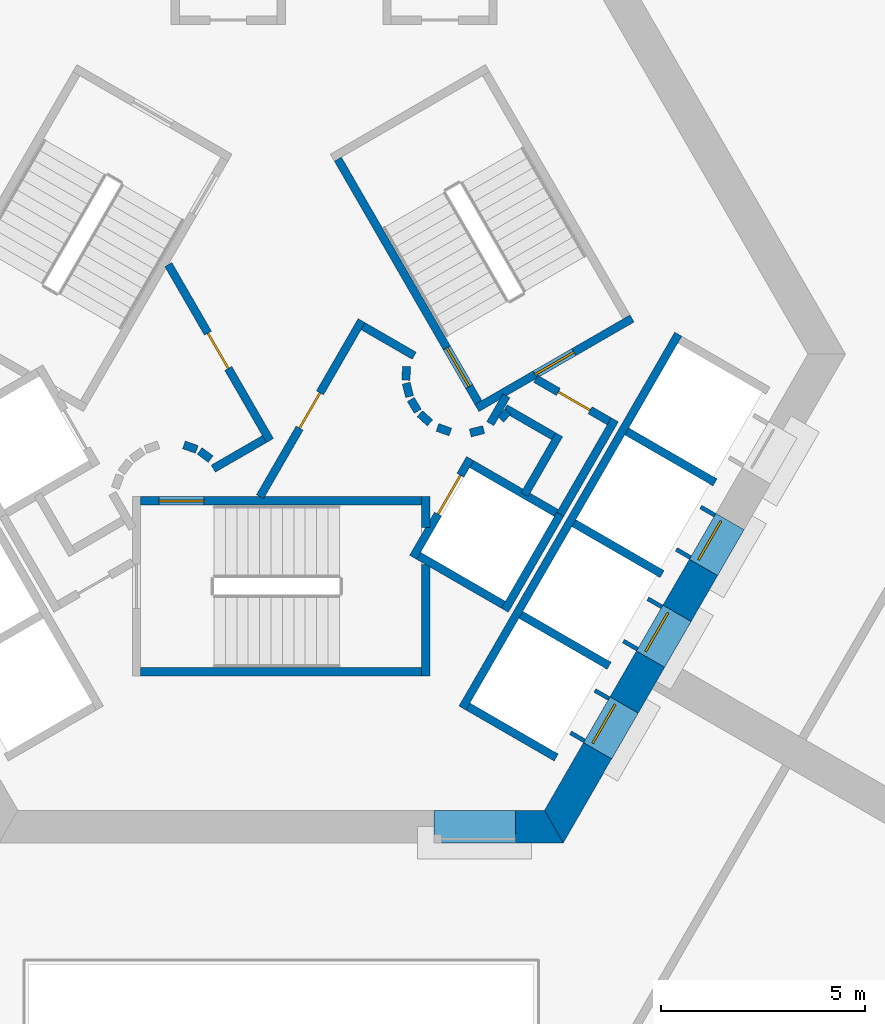
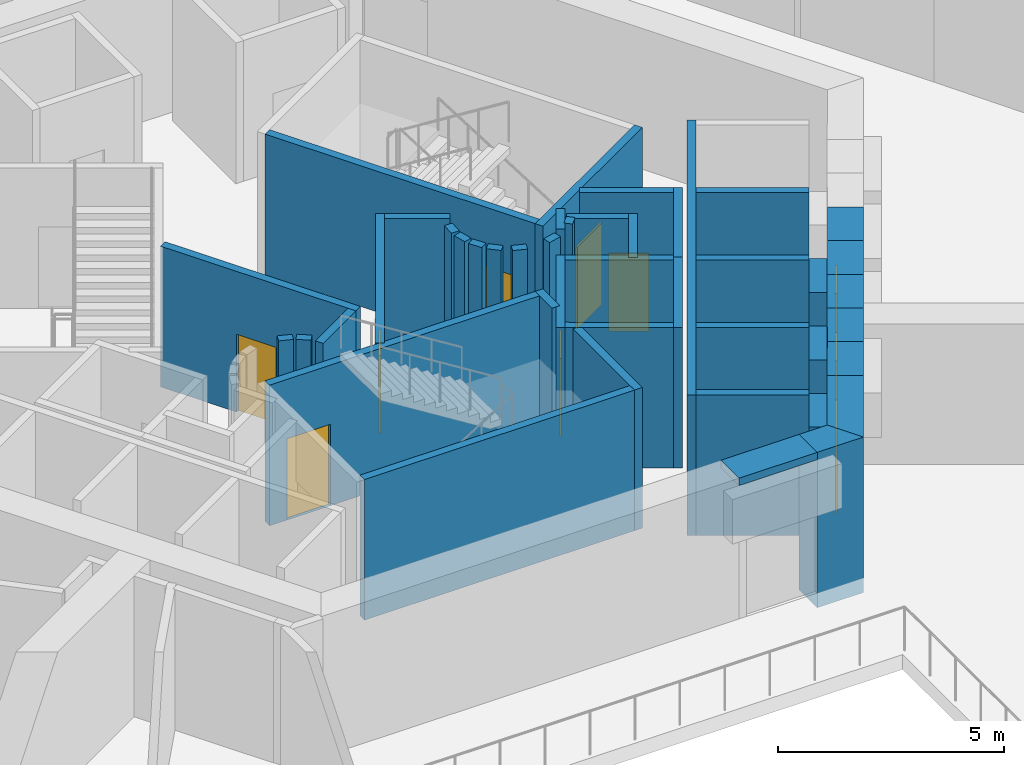
# One storey, part 7 of 15: 44 walls, 10 doors, 10 openings.
"""IFC4 building model written with IfcOpenShell, lengths in metres."""

from ifc_helpers import new_model, si_unit, direction, frame, frame_2d, origin, place, context, subcontext, project, spatial, polyline, rectangle, outline, extrude, material, layer, layer_set, type_object, element, fill, save


model = new_model("IFC4")

# Units and contexts
model_context = context("Model", 3, precision=1e-05, world=origin(), true_north=direction((0.0, 1.0)))
body_context = subcontext(model_context, "Body", "Model", "MODEL_VIEW")
ifc_project = project(units=[si_unit("LENGTHUNIT", "METRE"), si_unit("AREAUNIT", "SQUARE_METRE"), si_unit("VOLUMEUNIT", "CUBIC_METRE"), si_unit("PLANEANGLEUNIT", "RADIAN"), si_unit("MASSUNIT", "GRAM", prefix="KILO")], contexts=[model_context])

# Site, building, storey
site_placement = place(None, origin())
site = spatial("IfcSite", under=ifc_project, at=site_placement, CompositionType="ELEMENT")
building_placement = place(site_placement, origin())
building = spatial("IfcBuilding", under=site, at=building_placement, Name="Entoto Arch Interchange Tower", CompositionType="ELEMENT")
storey_placement = place(building_placement, frame((0.0, 0.0, 171.800048828125)))
storey = spatial("IfcBuildingStorey", under=building, at=storey_placement, Name="L38", CompositionType="ELEMENT", Elevation=171.800048828125)

# Walls
ifc_material_1 = material(Name="Concrete C50/60", Category="concrete")
ifc_layer_1 = layer(ifc_material_1, 0.800048828125)
ifc_layer_set_1 = layer_set([ifc_layer_1], Name="Concrete C50/60")
wall_type_1 = type_object("IfcWallType", Name="Core wall 800 C50/60", PredefinedType="SHEAR", material=ifc_layer_set_1)
wall_1_placement = place(storey_placement, frame((0.0, 0.0, -0.400146484375)))
element("IfcWall", 1, at=wall_1_placement, inside=storey, type_object=wall_type_1, Name="Core wall S L38", PredefinedType="SHEAR", context=body_context, shape_type="SweptSolid", body=[
    extrude(outline(polyline([(5.75, -8.699951171875), (5.75, -9.5), (6.927978515625, -9.5), (6.466064453125, -8.699951171875), (5.75, -8.699951171875)])), origin(), (0.0, 0.0, 1.0), 4.2001953125),
])
wall_2_placement = place(storey_placement, frame((0.0, 0.0, 3.599853515625)))
element("IfcWall", 2, at=wall_2_placement, inside=storey, type_object=wall_type_1, Name="Core wall lintel S L38", PredefinedType="SHEAR", context=body_context, shape_type="SweptSolid", body=[
    extrude(outline(polyline([(5.75, -9.5), (5.75, -8.699951171875), (3.75, -8.699951171875), (3.75, -9.5), (5.75, -9.5)])), origin(), (0.0, 0.0, 1.0), 0.2001953125),
])
wall_3_placement = place(storey_placement, frame((0.0, 0.0, -0.400146484375)))
element("IfcWall", 3, at=wall_3_placement, inside=storey, type_object=wall_type_1, Name="Core wall SE L38", PredefinedType="SHEAR", context=body_context, shape_type="SweptSolid", body=[
    extrude(outline(polyline([(8.116943359375, -7.43994140625), (7.424072265625, -7.0400390625), (6.466064453125, -8.699951171875), (6.927978515625, -9.5), (8.116943359375, -7.43994140625)])), origin(), (0.0, 0.0, 1.0), 4.2001953125),
])
wall_4_placement = place(storey_placement, frame((0.0, 0.0, -0.400146484375)))
element("IfcWall", 4, at=wall_4_placement, inside=storey, type_object=wall_type_1, Name="Core wall SE L38", PredefinedType="SHEAR", context=body_context, shape_type="SweptSolid", body=[
    extrude(outline(polyline([(9.4169921875, -5.18896484375), (8.72412109375, -4.7890625), (8.074951171875, -5.9140625), (8.76708984375, -6.31396484375), (9.4169921875, -5.18896484375)])), origin(), (0.0, 0.0, 1.0), 4.2001953125),
])
wall_5_placement = place(storey_placement, frame((0.0, 0.0, -0.400146484375)))
element("IfcWall", 5, at=wall_5_placement, inside=storey, type_object=wall_type_1, Name="Core wall SE L38", PredefinedType="SHEAR", context=body_context, shape_type="SweptSolid", body=[
    extrude(outline(polyline([(10.717041015625, -2.93701171875), (10.02490234375, -2.537109375), (9.3740234375, -3.6630859375), (10.06689453125, -4.06298828125), (10.717041015625, -2.93701171875)])), origin(), (0.0, 0.0, 1.0), 4.2001953125),
])
wall_6_placement = place(storey_placement, frame((0.0, 0.0, 3.599853515625)))
element("IfcWall", 6, at=wall_6_placement, inside=storey, type_object=wall_type_1, Name="Core wall lintel SE L38", PredefinedType="SHEAR", context=body_context, shape_type="SweptSolid", body=[
    extrude(outline(polyline([(8.76708984375, -6.31396484375), (8.074951171875, -5.9140625), (7.424072265625, -7.0400390625), (8.116943359375, -7.43994140625), (8.76708984375, -6.31396484375)])), origin(), (0.0, 0.0, 1.0), 0.2001953125),
])
wall_7_placement = place(storey_placement, frame((0.0, 0.0, 3.599853515625)))
element("IfcWall", 7, at=wall_7_placement, inside=storey, type_object=wall_type_1, Name="Core wall lintel SE L38", PredefinedType="SHEAR", context=body_context, shape_type="SweptSolid", body=[
    extrude(outline(polyline([(10.06689453125, -4.06298828125), (9.3740234375, -3.6630859375), (8.72412109375, -4.7890625), (9.4169921875, -5.18896484375), (10.06689453125, -4.06298828125)])), origin(), (0.0, 0.0, 1.0), 0.2001953125),
])
wall_8_placement = place(storey_placement, frame((0.0, 0.0, 3.599853515625)))
element("IfcWall", 8, at=wall_8_placement, inside=storey, type_object=wall_type_1, Name="Core wall lintel SE L38", PredefinedType="SHEAR", context=body_context, shape_type="SweptSolid", body=[
    extrude(outline(polyline([(11.366943359375, -1.81103515625), (10.675048828125, -1.410888671875), (10.02490234375, -2.537109375), (10.717041015625, -2.93701171875), (11.366943359375, -1.81103515625)])), origin(), (0.0, 0.0, 1.0), 0.2001953125),
])

# Wall, opening, door
ifc_material_2 = material(Name="Concrete C40/50", Category="concrete")
ifc_layer_2 = layer(ifc_material_2, 1.199951171875)
ifc_layer_set_2 = layer_set([ifc_layer_2], Name="Concrete C40/50")
wall_type_2 = type_object("IfcWallType", Name="LIFT LANDING INFILL WALL", PredefinedType="STANDARD", material=ifc_layer_set_2)
wall_9_placement = place(storey_placement, frame((7.597900390625, -7.139892578125, 0.0), z_axis=(0.0, 0.0, 1.0), x_axis=(0.500362116554, 0.865816234728, 0.0)))
wall_9 = element("IfcWall", 9, at=wall_9_placement, inside=storey, type_object=wall_type_2, Name="Lift landing infill wall LR5 L38", PredefinedType="STANDARD", context=body_context, shape_type="SweptSolid", body=[
    extrude(rectangle(XDim=1.29931640625, YDim=1.199951171875, at=frame_2d((0.649658203125, 0.0))), origin(), (0.0, 0.0, 1.0), 2.39990234375),
])
opening_1_placement = place(wall_9_placement, frame((0.10009765625, 0.0, 0.0)))
opening_1 = element("IfcOpeningElement", 10, at=opening_1_placement, cuts=wall_9, Name="Opening LD-LR5-L38", PredefinedType="OPENING", context=body_context, shape_type="SweptSolid", body=[
    extrude(rectangle(XDim=1.10009765625, YDim=2.300048828125, at=frame_2d((0.550048828125, 1.14990234375))), frame((0.0, 0.60986328125, 0.0), z_axis=(0.0, -1.0, 0.0), x_axis=(1.0, 0.0, 0.0)), (0.0, 0.0, 1.0), 1.219970703125),
])
ifc_material_3 = material(Name="Stainless steel 1.4301 panels", Category="steel")
door_type_1 = type_object("IfcDoorType", Name="LIFT LANDING DOOR LD2 1100x2300", OperationType="SLIDING_TO_LEFT", PredefinedType="DOOR", material=ifc_material_3)
door_1_placement = place(opening_1_placement, origin())
door_1 = element("IfcDoor", 11, at=door_1_placement, inside=storey, type_object=door_type_1, Name="Lift landing door LR5 L38", OperationType="SLIDING_TO_LEFT", OverallHeight=2.300048828125, OverallWidth=1.10009765625, PredefinedType="DOOR", context=body_context, shape_type="SweptSolid", body=[
    extrude(rectangle(XDim=1.10009765625, YDim=2.300048828125, at=frame_2d((0.550048828125, 1.14990234375))), frame((0.0, 0.02490234375, 0.0), z_axis=(0.0, -1.0, 0.0), x_axis=(1.0, 0.0, 0.0)), (0.0, 0.0, 1.0), 0.050048828125),
])
fill(opening_1, door_1)

wall_10_placement = place(storey_placement, frame((8.89794921875, -4.888916015625, 0.0), z_axis=(0.0, 0.0, 1.0), x_axis=(0.500036693733, 0.866004217611, 0.0)))
wall_10 = element("IfcWall", 12, at=wall_10_placement, inside=storey, type_object=wall_type_2, Name="Lift landing infill wall LR6 L38", PredefinedType="STANDARD", context=body_context, shape_type="SweptSolid", body=[
    extrude(rectangle(XDim=1.30029296875, YDim=1.199951171875, at=frame_2d((0.650146484375, 0.0))), origin(), (0.0, 0.0, 1.0), 2.39990234375),
])
opening_2_placement = place(wall_10_placement, frame((0.10009765625, 0.0, 0.0)))
opening_2 = element("IfcOpeningElement", 13, at=opening_2_placement, cuts=wall_10, Name="Opening LD-LR6-L38", PredefinedType="OPENING", context=body_context, shape_type="SweptSolid", body=[
    extrude(rectangle(XDim=1.10009765625, YDim=2.300048828125, at=frame_2d((0.550048828125, 1.14990234375))), frame((0.0, 0.60986328125, 0.0), z_axis=(0.0, -1.0, 0.0), x_axis=(1.0, 0.0, 0.0)), (0.0, 0.0, 1.0), 1.219970703125),
])
door_2_placement = place(opening_2_placement, origin())
door_2 = element("IfcDoor", 14, at=door_2_placement, inside=storey, type_object=door_type_1, Name="Lift landing door LR6 L38", OperationType="SLIDING_TO_LEFT", OverallHeight=2.300048828125, OverallWidth=1.10009765625, PredefinedType="DOOR", context=body_context, shape_type="SweptSolid", body=[
    extrude(rectangle(XDim=1.10009765625, YDim=2.300048828125, at=frame_2d((0.550048828125, 1.14990234375))), frame((0.0, 0.02490234375, 0.0), z_axis=(0.0, -1.0, 0.0), x_axis=(1.0, 0.0, 0.0)), (0.0, 0.0, 1.0), 0.050048828125),
])
fill(opening_2, door_2)

wall_11_placement = place(storey_placement, frame((10.197998046875, -2.636962890625, 0.0), z_axis=(0.0, 0.0, 1.0), x_axis=(0.49989585183, 0.866085525409, 0.0)))
wall_11 = element("IfcWall", 15, at=wall_11_placement, inside=storey, type_object=wall_type_2, Name="Lift landing infill wall LR7 L38", PredefinedType="STANDARD", context=body_context, shape_type="SweptSolid", body=[
    extrude(rectangle(XDim=1.300048828125, YDim=1.199951171875, at=frame_2d((0.64990234375, 0.0))), origin(), (0.0, 0.0, 1.0), 2.39990234375),
])
opening_3_placement = place(wall_11_placement, frame((0.10009765625, 0.0, 0.0)))
opening_3 = element("IfcOpeningElement", 16, at=opening_3_placement, cuts=wall_11, Name="Opening LD-LR7-L38", PredefinedType="OPENING", context=body_context, shape_type="SweptSolid", body=[
    extrude(rectangle(XDim=1.10009765625, YDim=2.300048828125, at=frame_2d((0.550048828125, 1.14990234375))), frame((0.0, 0.60986328125, 0.0), z_axis=(0.0, -1.0, 0.0), x_axis=(1.0, 0.0, 0.0)), (0.0, 0.0, 1.0), 1.219970703125),
])
door_3_placement = place(opening_3_placement, origin())
door_3 = element("IfcDoor", 17, at=door_3_placement, inside=storey, type_object=door_type_1, Name="Lift landing door LR7 L38", OperationType="SLIDING_TO_LEFT", OverallHeight=2.300048828125, OverallWidth=1.10009765625, PredefinedType="DOOR", context=body_context, shape_type="SweptSolid", body=[
    extrude(rectangle(XDim=1.10009765625, YDim=2.300048828125, at=frame_2d((0.550048828125, 1.14990234375))), frame((0.0, 0.02490234375, 0.0), z_axis=(0.0, -1.0, 0.0), x_axis=(1.0, 0.0, 0.0)), (0.0, 0.0, 1.0), 0.050048828125),
])
fill(opening_3, door_3)

ifc_layer_3 = layer(ifc_material_2, 0.199951171875)
ifc_layer_set_3 = layer_set([ifc_layer_3], Name="Concrete C40/50")
wall_type_3 = type_object("IfcWallType", Name="LIFT SHAFT WALL 200", PredefinedType="STANDARD", material=ifc_layer_set_3)
wall_12_placement = place(storey_placement, frame((3.239990234375, -2.488037109375, 0.0), z_axis=(0.0, 0.0, 1.0), x_axis=(0.49994636267, 0.866056369097, 0.0)))
wall_12 = element("IfcWall", 18, at=wall_12_placement, inside=storey, type_object=wall_type_3, Name="Shaft wall SE1 front", PredefinedType="STANDARD", context=body_context, shape_type="SweptSolid", body=[
    extrude(rectangle(XDim=2.800048828125, YDim=0.199951171875, at=frame_2d((1.39990234375, 0.0))), origin(), (0.0, 0.0, 1.0), 3.800048828125),
])
opening_4_placement = place(wall_12_placement, frame((1.22509765625, 0.0, 0.0)))
opening_4 = element("IfcOpeningElement", 19, at=opening_4_placement, cuts=wall_12, Name="Opening LD-FF1-L38", PredefinedType="OPENING", context=body_context, shape_type="SweptSolid", body=[
    extrude(rectangle(XDim=1.10009765625, YDim=2.10009765625, at=frame_2d((0.550048828125, 1.050048828125))), frame((0.0, 0.10986328125, 0.0), z_axis=(0.0, -1.0, 0.0), x_axis=(1.0, 0.0, 0.0)), (0.0, 0.0, 1.0), 0.219970703125),
])
door_type_2 = type_object("IfcDoorType", Name="LIFT LANDING DOOR LD1 1100x2100", OperationType="SLIDING_TO_LEFT", PredefinedType="DOOR", material=ifc_material_3)
door_4_placement = place(opening_4_placement, origin())
door_4 = element("IfcDoor", 20, at=door_4_placement, inside=storey, type_object=door_type_2, Name="Lift landing door FF1 L38", OperationType="SLIDING_TO_LEFT", OverallHeight=2.10009765625, OverallWidth=1.10009765625, PredefinedType="DOOR", context=body_context, shape_type="SweptSolid", body=[
    extrude(rectangle(XDim=1.10009765625, YDim=2.10009765625, at=frame_2d((0.550048828125, 1.050048828125))), frame((0.0, 0.02490234375, 0.0), z_axis=(0.0, -1.0, 0.0), x_axis=(1.0, 0.0, 0.0)), (0.0, 0.0, 1.0), 0.050048828125),
])
fill(opening_4, door_4)

# Walls
wall_13_placement = place(storey_placement, frame((5.491943359375, -3.7880859375, 0.0), z_axis=(0.0, 0.0, 1.0), x_axis=(0.500011755427, 0.866018616679, 0.0)))
element("IfcWall", 21, at=wall_13_placement, inside=storey, type_object=wall_type_3, Name="Shaft wall SE1 back", PredefinedType="STANDARD", context=body_context, shape_type="SweptSolid", body=[
    extrude(rectangle(XDim=2.80029296875, YDim=0.199951171875, at=frame_2d((1.400146484375, 0.0))), origin(), (0.0, 0.0, 1.0), 3.800048828125),
])
wall_14_placement = place(storey_placement, frame((3.376953125, -2.451904296875, 0.0), z_axis=(0.0, 0.0, 1.0), x_axis=(0.865955154139, -0.50012165622, 0.0)))
element("IfcWall", 22, at=wall_14_placement, inside=storey, type_object=wall_type_3, Name="Shaft wall SE1 cross 1", PredefinedType="STANDARD", context=body_context, shape_type="SweptSolid", body=[
    extrude(rectangle(XDim=2.39990234375, YDim=0.199951171875, at=frame_2d((1.199951171875, 0.0))), origin(), (0.0, 0.0, 1.0), 3.800048828125),
])
wall_15_placement = place(storey_placement, frame((4.677001953125, -0.199951171875, 0.0), z_axis=(0.0, 0.0, 1.0), x_axis=(0.865973769406, -0.500089422704, 0.0)))
element("IfcWall", 23, at=wall_15_placement, inside=storey, type_object=wall_type_3, Name="Shaft wall SE1 cross 2", PredefinedType="STANDARD", context=body_context, shape_type="SweptSolid", body=[
    extrude(rectangle(XDim=2.3994140625, YDim=0.199951171875, at=frame_2d((1.19970703125, 0.0))), origin(), (0.0, 0.0, 1.0), 3.800048828125),
])
wall_16_placement = place(storey_placement, frame((4.450927734375, -6.18994140625, 0.0), z_axis=(0.0, 0.0, 1.0), x_axis=(0.50000090737, 0.866024879913, 0.0)))
element("IfcWall", 24, at=wall_16_placement, inside=storey, type_object=wall_type_3, Name="Shaft wall SE3 front", PredefinedType="STANDARD", context=body_context, shape_type="SweptSolid", body=[
    extrude(rectangle(XDim=10.60009765625, YDim=0.199951171875, at=frame_2d((5.300048828125, 0.0))), origin(), (0.0, 0.0, 1.0), 3.800048828125),
])
for number, where, z_axis, x_axis, name in (
    (25, (4.587890625, -6.153076171875, 0.0), (0.0, 0.0, 1.0), (0.866022959057, -0.500004234368, 0.0), "Shaft wall SE3 cross 1"),
    (26, (5.887939453125, -3.902099609375, 0.0), (0.0, 0.0, 1.0), (0.866022959057, -0.500004234368, 0.0), "Shaft wall SE3 cross 2"),
    (27, (7.18798828125, -1.64990234375, 0.0), (0.0, 0.0, 1.0), (0.866022959057, -0.500004234368, 0.0), "Shaft wall SE3 cross 3"),
    (28, (8.488037109375, 0.60205078125, 0.0), (0.0, 0.0, 1.0), (0.866022959057, -0.500004234368, 0.0), "Shaft wall SE3 cross 4"),
):
    element("IfcWall", number, at=place(storey_placement, frame(where, z_axis=z_axis, x_axis=x_axis)), inside=storey, type_object=wall_type_3, Name=name, PredefinedType="STANDARD", context=body_context, shape_type="SweptSolid", body=[
        extrude(rectangle(XDim=2.5, YDim=0.199951171875, at=frame_2d((1.25, 0.0))), origin(), (0.0, 0.0, 1.0), 3.800048828125),
    ])
ifc_material_4 = material(Name="Gypsum board partition on steel studs", Category="steel")
ifc_layer_4 = layer(ifc_material_4, 0.199951171875)
ifc_layer_set_4 = layer_set([ifc_layer_4], Name="Gypsum board partition on steel studs")
wall_type_4 = type_object("IfcWallType", Name="PARTITION 200", PredefinedType="PARTITIONING", material=ifc_layer_set_4)
wall_17_placement = place(storey_placement, frame((5.389892578125, 0.89794921875, 0.0), z_axis=(0.0, 0.0, 1.0), x_axis=(0.673828488714, 0.738887791073, 0.0)))
element("IfcWall", 29, at=wall_17_placement, inside=storey, type_object=wall_type_4, Name="wall:L38:p086", PredefinedType="PARTITIONING", context=body_context, shape_type="SweptSolid", body=[
    extrude(rectangle(XDim=0.2626953125, YDim=0.199951171875, at=frame_2d((0.13134765625, 0.0))), origin(), (0.0, 0.0, 1.0), 3.800048828125),
])
wall_18_placement = place(storey_placement, frame((5.4990234375, 1.172119140625, 0.0), z_axis=(0.0, 0.0, 1.0), x_axis=(0.866333505267, -0.499465972466, 0.0)))
element("IfcWall", 30, at=wall_18_placement, inside=storey, type_object=wall_type_4, Name="wall:L38:p087", PredefinedType="PARTITIONING", context=body_context, shape_type="SweptSolid", body=[
    extrude(rectangle(XDim=1.37353515625, YDim=0.199951171875, at=frame_2d((0.686767578125, 0.0))), origin(), (0.0, 0.0, 1.0), 3.800048828125),
])
wall_19_placement = place(storey_placement, frame((6.825927734375, 0.52197265625, 0.0), z_axis=(0.0, 0.0, 1.0), x_axis=(-0.500016722714, -0.866015748706, 0.0)))
element("IfcWall", 31, at=wall_19_placement, inside=storey, type_object=wall_type_4, Name="wall:L38:p088", PredefinedType="PARTITIONING", context=body_context, shape_type="SweptSolid", body=[
    extrude(rectangle(XDim=1.69970703125, YDim=0.199951171875, at=frame_2d((0.849853515625, 0.0))), origin(), (0.0, 0.0, 1.0), 3.800048828125),
])

# Wall, opening, door
wall_20_placement = place(storey_placement, frame((6.25, 1.89404296875, 0.0), z_axis=(0.0, 0.0, 1.0), x_axis=(0.866043184279, -0.499969202016, 0.0)))
wall_20 = element("IfcWall", 32, at=wall_20_placement, inside=storey, type_object=wall_type_4, Name="wall:L38:p089", PredefinedType="PARTITIONING", context=body_context, shape_type="SweptSolid", body=[
    extrude(rectangle(XDim=2.084228515625, YDim=0.199951171875, at=frame_2d((1.0419921875, 0.0))), origin(), (0.0, 0.0, 1.0), 3.800048828125),
])
opening_5_placement = place(wall_20_placement, frame((0.64208984375, 0.0, 0.0)))
opening_5 = element("IfcOpeningElement", 33, at=opening_5_placement, cuts=wall_20, Name="Opening L38-D29", PredefinedType="OPENING", context=body_context, shape_type="SweptSolid", body=[
    extrude(rectangle(XDim=0.89990234375, YDim=2.10009765625, at=frame_2d((0.449951171875, 1.050048828125))), frame((0.0, 0.10986328125, 0.0), z_axis=(0.0, -1.0, 0.0), x_axis=(1.0, 0.0, 0.0)), (0.0, 0.0, 1.0), 0.219970703125),
])
ifc_material_5 = material(Name="Timber door leaf in Steel S235 frame", Category="steel")
door_type_3 = type_object("IfcDoorType", Name="DOOR DS-09 900x2100", OperationType="SINGLE_SWING_LEFT", PredefinedType="DOOR", material=ifc_material_5)
door_5_placement = place(opening_5_placement, origin())
door_5 = element("IfcDoor", 34, at=door_5_placement, inside=storey, type_object=door_type_3, Name="door:L38:29", OperationType="SINGLE_SWING_LEFT", OverallHeight=2.10009765625, OverallWidth=0.89990234375, PredefinedType="DOOR", context=body_context, shape_type="SweptSolid", body=[
    extrude(rectangle(XDim=0.89990234375, YDim=2.10009765625, at=frame_2d((0.449951171875, 1.050048828125))), frame((0.0, 0.02490234375, 0.0), z_axis=(0.0, -1.0, 0.0), x_axis=(1.0, 0.0, 0.0)), (0.0, 0.0, 1.0), 0.050048828125),
])
fill(opening_5, door_5)

# Walls
wall_21_placement = place(storey_placement, frame((8.19189453125, 0.887939453125, 0.0), z_axis=(0.0, 0.0, 1.0), x_axis=(-0.499940625693, -0.866059680843, 0.0)))
element("IfcWall", 35, at=wall_21_placement, inside=storey, type_object=wall_type_4, Name="wall:L38:p090", PredefinedType="PARTITIONING", context=body_context, shape_type="SweptSolid", body=[
    extrude(rectangle(XDim=2.679931640625, YDim=0.199951171875, at=frame_2d((1.33984375, 0.0))), origin(), (0.0, 0.0, 1.0), 3.800048828125),
])
wall_22_placement = place(storey_placement, frame((5.135009765625, 0.79296875, 0.0), z_axis=(0.0, 0.0, 1.0), x_axis=(0.499526442893, 0.866298639529, 0.0)))
element("IfcWall", 36, at=wall_22_placement, inside=storey, type_object=wall_type_4, Name="wall:L38:p091", PredefinedType="PARTITIONING", context=body_context, shape_type="SweptSolid", body=[
    extrude(rectangle(XDim=0.790771484375, YDim=0.199951171875, at=frame_2d((0.3955078125, 0.0))), origin(), (0.0, 0.0, 1.0), 3.800048828125),
])

# Wall, opening, door
wall_23_placement = place(storey_placement, frame((-0.52001953125, -1.0, 0.0), z_axis=(0.0, 0.0, 1.0), x_axis=(0.50011622646, 0.865958290007, 0.0)))
wall_23 = element("IfcWall", 37, at=wall_23_placement, inside=storey, type_object=wall_type_4, Name="wall:L38:p100", PredefinedType="PARTITIONING", context=body_context, shape_type="SweptSolid", body=[
    extrude(rectangle(XDim=4.990966796875, YDim=0.199951171875, at=frame_2d((2.49560546875, 0.0))), origin(), (0.0, 0.0, 1.0), 3.800048828125),
])
opening_6_placement = place(wall_23_placement, frame((1.945068359375, 0.0, 0.0)))
opening_6 = element("IfcOpeningElement", 38, at=opening_6_placement, cuts=wall_23, Name="Opening L38-D25", PredefinedType="OPENING", context=body_context, shape_type="SweptSolid", body=[
    extrude(rectangle(XDim=1.0, YDim=2.10009765625, at=frame_2d((0.5, 1.050048828125))), frame((0.0, 0.10986328125, 0.0), z_axis=(0.0, -1.0, 0.0), x_axis=(1.0, 0.0, 0.0)), (0.0, 0.0, 1.0), 0.219970703125),
])
ifc_material_6 = material(Name="Fire-rated Steel S235 door and frame", Category="steel")
door_type_4 = type_object("IfcDoorType", Name="DOOR FD-10 1000x2100", OperationType="SINGLE_SWING_LEFT", PredefinedType="DOOR", material=ifc_material_6)
door_6_placement = place(opening_6_placement, origin())
door_6 = element("IfcDoor", 39, at=door_6_placement, inside=storey, type_object=door_type_4, Name="door:L38:25", OperationType="SINGLE_SWING_LEFT", OverallHeight=2.10009765625, OverallWidth=1.0, PredefinedType="DOOR", context=body_context, shape_type="SweptSolid", body=[
    extrude(rectangle(XDim=1.0, YDim=2.10009765625, at=frame_2d((0.5, 1.050048828125))), frame((0.0, 0.02490234375, 0.0), z_axis=(0.0, -1.0, 0.0), x_axis=(1.0, 0.0, 0.0)), (0.0, 0.0, 1.0), 0.050048828125),
])
fill(opening_6, door_6)

# Walls
wall_24_placement = place(storey_placement, frame((2.011962890625, 3.18603515625, 0.0), z_axis=(0.0, 0.0, 1.0), x_axis=(0.865891012941, -0.500232699559, 0.0)))
element("IfcWall", 40, at=wall_24_placement, inside=storey, type_object=wall_type_4, Name="wall:L38:p101", PredefinedType="PARTITIONING", context=body_context, shape_type="SweptSolid", body=[
    extrude(rectangle(XDim=1.449462890625, YDim=0.199951171875, at=frame_2d((0.724609375, 0.0))), origin(), (0.0, 0.0, 1.0), 3.800048828125),
])
wall_25_placement = place(storey_placement, frame((3.0791015625, 2.198974609375, 0.0), z_axis=(0.0, 0.0, 1.0), x_axis=(-0.047771483479, -0.998858290933, 0.0)))
element("IfcWall", 41, at=wall_25_placement, inside=storey, type_object=wall_type_4, Name="wall:L38:p102", PredefinedType="PARTITIONING", context=body_context, shape_type="SweptSolid", body=[
    extrude(rectangle(XDim=0.33740234375, YDim=0.199951171875, at=frame_2d((0.168701171875, 0.0))), origin(), (0.0, 0.0, 1.0), 3.800048828125),
])
wall_26_placement = place(storey_placement, frame((3.070068359375, 1.785888671875, 0.0), z_axis=(0.0, 0.0, 1.0), x_axis=(0.242705583207, -0.970099994784, 0.0)))
element("IfcWall", 42, at=wall_26_placement, inside=storey, type_object=wall_type_4, Name="wall:L38:p103", PredefinedType="PARTITIONING", context=body_context, shape_type="SweptSolid", body=[
    extrude(rectangle(XDim=0.337890625, YDim=0.199951171875, at=frame_2d((0.1689453125, 0.0))), origin(), (0.0, 0.0, 1.0), 3.800048828125),
])
for number, where, z_axis, x_axis, name in (
    (43, (3.181884765625, 1.387939453125, 0.0), (0.0, 0.0, 1.0), (0.512474702713, -0.85870232274, 0.0), "wall:L38:p104"),
    (44, (3.404052734375, 1.0390625, 0.0), (0.0, 0.0, 1.0), (0.740267097712, -0.672312891476, 0.0), "wall:L38:p105"),
):
    element("IfcWall", number, at=place(storey_placement, frame(where, z_axis=z_axis, x_axis=x_axis)), inside=storey, type_object=wall_type_4, Name=name, PredefinedType="PARTITIONING", context=body_context, shape_type="SweptSolid", body=[
        extrude(rectangle(XDim=0.337646484375, YDim=0.199951171875, at=frame_2d((0.1689453125, 0.0))), origin(), (0.0, 0.0, 1.0), 3.800048828125),
    ])
wall_27_placement = place(storey_placement, frame((3.837890625, 0.701904296875, 0.0), z_axis=(0.0, 0.0, 1.0), x_axis=(0.941035081519, -0.338308993895, 0.0)))
element("IfcWall", 45, at=wall_27_placement, inside=storey, type_object=wall_type_4, Name="wall:L38:p106", PredefinedType="PARTITIONING", context=body_context, shape_type="SweptSolid", body=[
    extrude(rectangle(XDim=0.3369140625, YDim=0.199951171875, at=frame_2d((0.16845703125, 0.0))), origin(), (0.0, 0.0, 1.0), 3.800048828125),
])
wall_28_placement = place(storey_placement, frame((4.64404296875, 0.56396484375, 0.0), z_axis=(0.0, 0.0, 1.0), x_axis=(0.969929076366, 0.243387729394, 0.0)))
element("IfcWall", 46, at=wall_28_placement, inside=storey, type_object=wall_type_4, Name="wall:L38:p107", PredefinedType="PARTITIONING", context=body_context, shape_type="SweptSolid", body=[
    extrude(rectangle(XDim=0.337158203125, YDim=0.199951171875, at=frame_2d((0.16845703125, 0.0))), origin(), (0.0, 0.0, 1.0), 3.800048828125),
])

# Wall, opening, door
wall_29_placement = place(storey_placement, frame((-2.77099609375, 4.699951171875, 0.0), z_axis=(0.0, 0.0, 1.0), x_axis=(0.499969479948, -0.866043023828, 0.0)))
wall_29 = element("IfcWall", 47, at=wall_29_placement, inside=storey, type_object=wall_type_4, Name="wall:L38:p108", PredefinedType="PARTITIONING", context=body_context, shape_type="SweptSolid", body=[
    extrude(rectangle(XDim=4.990478515625, YDim=0.199951171875, at=frame_2d((2.4951171875, 0.0))), origin(), (0.0, 0.0, 1.0), 3.800048828125),
])
opening_7_placement = place(wall_29_placement, frame((1.945068359375, 0.0, 0.0)))
opening_7 = element("IfcOpeningElement", 48, at=opening_7_placement, cuts=wall_29, Name="Opening L38-D26", PredefinedType="OPENING", context=body_context, shape_type="SweptSolid", body=[
    extrude(rectangle(XDim=1.0, YDim=2.10009765625, at=frame_2d((0.5, 1.050048828125))), frame((0.0, 0.10986328125, 0.0), z_axis=(0.0, -1.0, 0.0), x_axis=(1.0, 0.0, 0.0)), (0.0, 0.0, 1.0), 0.219970703125),
])
door_7_placement = place(opening_7_placement, origin())
door_7 = element("IfcDoor", 49, at=door_7_placement, inside=storey, type_object=door_type_4, Name="door:L38:26", OperationType="SINGLE_SWING_RIGHT", OverallHeight=2.10009765625, OverallWidth=1.0, PredefinedType="DOOR", context=body_context, shape_type="SweptSolid", body=[
    extrude(rectangle(XDim=1.0, YDim=2.10009765625, at=frame_2d((0.5, 1.050048828125))), frame((0.0, 0.02490234375, 0.0), z_axis=(0.0, -1.0, 0.0), x_axis=(1.0, 0.0, 0.0)), (0.0, 0.0, 1.0), 0.050048828125),
])
fill(opening_7, door_7)

# Walls
wall_30_placement = place(storey_placement, frame((-0.412109375, 0.4140625, 0.0), z_axis=(0.0, 0.0, 1.0), x_axis=(-0.866017369001, -0.500013916395, 0.0)))
element("IfcWall", 50, at=wall_30_placement, inside=storey, type_object=wall_type_4, Name="wall:L38:p109", PredefinedType="PARTITIONING", context=body_context, shape_type="SweptSolid", body=[
    extrude(rectangle(XDim=1.4501953125, YDim=0.199951171875, at=frame_2d((0.72509765625, 0.0))), origin(), (0.0, 0.0, 1.0), 3.800048828125),
])
wall_31_placement = place(storey_placement, frame((-1.73095703125, -0.076904296875, 0.0), z_axis=(0.0, 0.0, 1.0), x_axis=(-0.804311165252, 0.594208338422, 0.0)))
element("IfcWall", 51, at=wall_31_placement, inside=storey, type_object=wall_type_4, Name="wall:L38:p110", PredefinedType="PARTITIONING", context=body_context, shape_type="SweptSolid", body=[
    extrude(rectangle(XDim=0.338134765625, YDim=0.199951171875, at=frame_2d((0.1689453125, 0.0))), origin(), (0.0, 0.0, 1.0), 3.800048828125),
])
wall_32_placement = place(storey_placement, frame((-2.070068359375, 0.159912109375, 0.0), z_axis=(0.0, 0.0, 1.0), x_axis=(-0.942199461132, 0.335052496547, 0.0)))
element("IfcWall", 52, at=wall_32_placement, inside=storey, type_object=wall_type_4, Name="wall:L38:p111", PredefinedType="PARTITIONING", context=body_context, shape_type="SweptSolid", body=[
    extrude(rectangle(XDim=0.33740234375, YDim=0.199951171875, at=frame_2d((0.168701171875, 0.0))), origin(), (0.0, 0.0, 1.0), 3.800048828125),
])
ifc_layer_5 = layer(ifc_material_2, 0.199951171875)
ifc_layer_set_5 = layer_set([ifc_layer_5], Name="Concrete C40/50")
wall_type_5 = type_object("IfcWallType", Name="STAIR ENCLOSURE WALL 200", PredefinedType="STANDARD", material=ifc_layer_set_5)
wall_33_placement = place(storey_placement, frame((3.550048828125, -2.6669921875, 0.0), z_axis=(0.0, 0.0, 1.0), x_axis=(0.0, -1.0, 0.0)))
element("IfcWall", 53, at=wall_33_placement, inside=storey, type_object=wall_type_5, Name="Stair wall ST-S far", PredefinedType="STANDARD", context=body_context, shape_type="SweptSolid", body=[
    extrude(rectangle(XDim=2.73291015625, YDim=0.199951171875, at=frame_2d((1.366455078125, 0.0))), origin(), (0.0, 0.0, 1.0), 3.800048828125),
])
wall_34_placement = place(storey_placement, frame((3.550048828125, -1.0, 0.0), z_axis=(0.0, 0.0, 1.0), x_axis=(0.0, -1.0, 0.0)))
element("IfcWall", 54, at=wall_34_placement, inside=storey, type_object=wall_type_5, Name="Stair wall ST-S far return", PredefinedType="STANDARD", context=body_context, shape_type="SweptSolid", body=[
    extrude(rectangle(XDim=0.7509765625, YDim=0.199951171875, at=frame_2d((0.37548828125, 0.0))), origin(), (0.0, 0.0, 1.0), 3.800048828125),
])

# Wall, opening, door
wall_35_placement = place(storey_placement, frame((-3.449951171875, -1.10009765625, 0.0), z_axis=(0.0, 0.0, 1.0), x_axis=(1.0, 0.0, 0.0)))
wall_35 = element("IfcWall", 55, at=wall_35_placement, inside=storey, type_object=wall_type_5, Name="Stair wall ST-S hall", PredefinedType="STANDARD", context=body_context, shape_type="SweptSolid", body=[
    extrude(rectangle(XDim=6.89990234375, YDim=0.199951171875, at=frame_2d((3.449951171875, 0.0))), origin(), (0.0, 0.0, 1.0), 3.800048828125),
])
opening_8_placement = place(wall_35_placement, frame((0.449951171875, 0.0, 0.0)))
opening_8 = element("IfcOpeningElement", 56, at=opening_8_placement, cuts=wall_35, Name="Opening SD-ST-S-L38", PredefinedType="OPENING", context=body_context, shape_type="SweptSolid", body=[
    extrude(rectangle(XDim=1.10009765625, YDim=2.199951171875, at=frame_2d((0.550048828125, 1.10009765625))), frame((0.0, 0.10986328125, 0.0), z_axis=(0.0, -1.0, 0.0), x_axis=(1.0, 0.0, 0.0)), (0.0, 0.0, 1.0), 0.219970703125),
])
ifc_material_7 = material(Name="Steel S235", Category="steel")
door_type_5 = type_object("IfcDoorType", Name="STAIR DOOR SD1 1100x2200", OperationType="SINGLE_SWING_LEFT", PredefinedType="DOOR", material=ifc_material_7)
door_8_placement = place(opening_8_placement, origin())
door_8 = element("IfcDoor", 57, at=door_8_placement, inside=storey, type_object=door_type_5, Name="Stair door ST-S L38", OperationType="SINGLE_SWING_LEFT", OverallHeight=2.199951171875, OverallWidth=1.10009765625, PredefinedType="DOOR", context=body_context, shape_type="SweptSolid", body=[
    extrude(rectangle(XDim=1.10009765625, YDim=2.199951171875, at=frame_2d((0.550048828125, 1.10009765625))), frame((0.0, 0.02490234375, 0.0), z_axis=(0.0, -1.0, 0.0), x_axis=(1.0, 0.0, 0.0)), (0.0, 0.0, 1.0), 0.050048828125),
])
fill(opening_8, door_8)

# Wall
wall_36_placement = place(storey_placement, frame((-3.449951171875, -5.300048828125, 0.0), z_axis=(0.0, 0.0, 1.0), x_axis=(1.0, 0.0, 0.0)))
element("IfcWall", 58, at=wall_36_placement, inside=storey, type_object=wall_type_5, Name="Stair wall ST-S back", PredefinedType="STANDARD", context=body_context, shape_type="SweptSolid", body=[
    extrude(rectangle(XDim=6.89990234375, YDim=0.199951171875, at=frame_2d((3.449951171875, 0.0))), origin(), (0.0, 0.0, 1.0), 3.800048828125),
])

# Wall, opening, door
wall_37_placement = place(storey_placement, frame((4.805908203125, 1.176025390625, 0.0), z_axis=(0.0, 0.0, 1.0), x_axis=(0.866059941101, 0.499940174841, 0.0)))
wall_37 = element("IfcWall", 59, at=wall_37_placement, inside=storey, type_object=wall_type_5, Name="Stair wall ST-NE near", PredefinedType="STANDARD", context=body_context, shape_type="SweptSolid", body=[
    extrude(rectangle(XDim=4.400390625, YDim=0.199951171875, at=frame_2d((2.2001953125, 0.0))), origin(), (0.0, 0.0, 1.0), 3.800048828125),
])
opening_9_placement = place(wall_37_placement, frame((1.64990234375, 0.0, 0.0)))
opening_9 = element("IfcOpeningElement", 60, at=opening_9_placement, cuts=wall_37, Name="Opening SD-ST-NE-L38-E", PredefinedType="OPENING", context=body_context, shape_type="SweptSolid", body=[
    extrude(rectangle(XDim=1.10009765625, YDim=2.199951171875, at=frame_2d((0.550048828125, 1.10009765625))), frame((0.0, 0.10986328125, 0.0), z_axis=(0.0, -1.0, 0.0), x_axis=(1.0, 0.0, 0.0)), (0.0, 0.0, 1.0), 0.219970703125),
])
door_9_placement = place(opening_9_placement, origin())
door_9 = element("IfcDoor", 61, at=door_9_placement, inside=storey, type_object=door_type_5, Name="Stair door ST-NE L38 end", OperationType="SINGLE_SWING_LEFT", OverallHeight=2.199951171875, OverallWidth=1.10009765625, PredefinedType="DOOR", context=body_context, shape_type="SweptSolid", body=[
    extrude(rectangle(XDim=1.10009765625, YDim=2.199951171875, at=frame_2d((0.550048828125, 1.10009765625))), frame((0.0, 0.02490234375, 0.0), z_axis=(0.0, -1.0, 0.0), x_axis=(1.0, 0.0, 0.0)), (0.0, 0.0, 1.0), 0.050048828125),
])
fill(opening_9, door_9)

wall_38_placement = place(storey_placement, frame((4.843017578125, 1.31201171875, 0.0), z_axis=(0.0, 0.0, 1.0), x_axis=(-0.499963383562, 0.866046543262, 0.0)))
wall_38 = element("IfcWall", 62, at=wall_38_placement, inside=storey, type_object=wall_type_5, Name="Stair wall ST-NE hall", PredefinedType="STANDARD", context=body_context, shape_type="SweptSolid", body=[
    extrude(rectangle(XDim=6.900390625, YDim=0.199951171875, at=frame_2d((3.4501953125, 0.0))), origin(), (0.0, 0.0, 1.0), 3.800048828125),
])
opening_10_placement = place(wall_38_placement, frame((0.449951171875, 0.0, 0.0)))
opening_10 = element("IfcOpeningElement", 63, at=opening_10_placement, cuts=wall_38, Name="Opening SD-ST-NE-L38", PredefinedType="OPENING", context=body_context, shape_type="SweptSolid", body=[
    extrude(rectangle(XDim=1.10009765625, YDim=2.199951171875, at=frame_2d((0.550048828125, 1.10009765625))), frame((0.0, 0.10986328125, 0.0), z_axis=(0.0, -1.0, 0.0), x_axis=(1.0, 0.0, 0.0)), (0.0, 0.0, 1.0), 0.219970703125),
])
door_10_placement = place(opening_10_placement, origin())
door_10 = element("IfcDoor", 64, at=door_10_placement, inside=storey, type_object=door_type_5, Name="Stair door ST-NE L38", OperationType="SINGLE_SWING_LEFT", OverallHeight=2.199951171875, OverallWidth=1.10009765625, PredefinedType="DOOR", context=body_context, shape_type="SweptSolid", body=[
    extrude(rectangle(XDim=1.10009765625, YDim=2.199951171875, at=frame_2d((0.550048828125, 1.10009765625))), frame((0.0, 0.02490234375, 0.0), z_axis=(0.0, -1.0, 0.0), x_axis=(1.0, 0.0, 0.0)), (0.0, 0.0, 1.0), 0.050048828125),
])
fill(opening_10, door_10)

save(model, "model.ifc")
